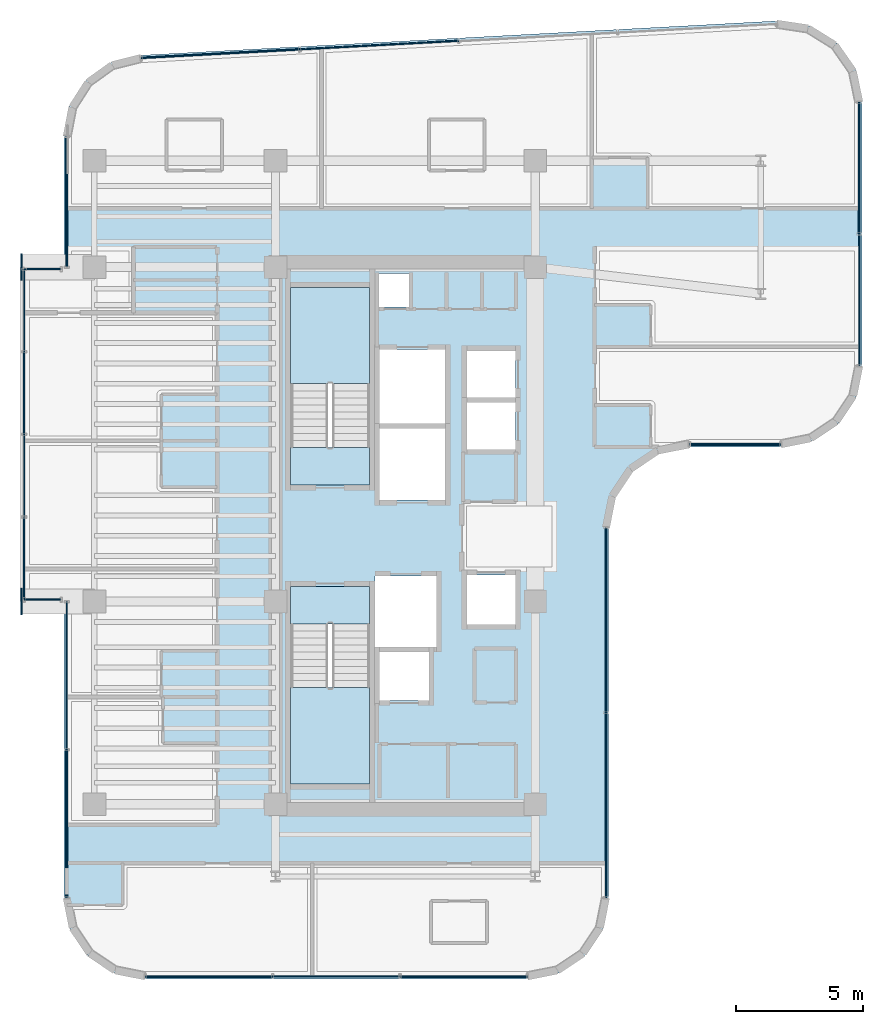
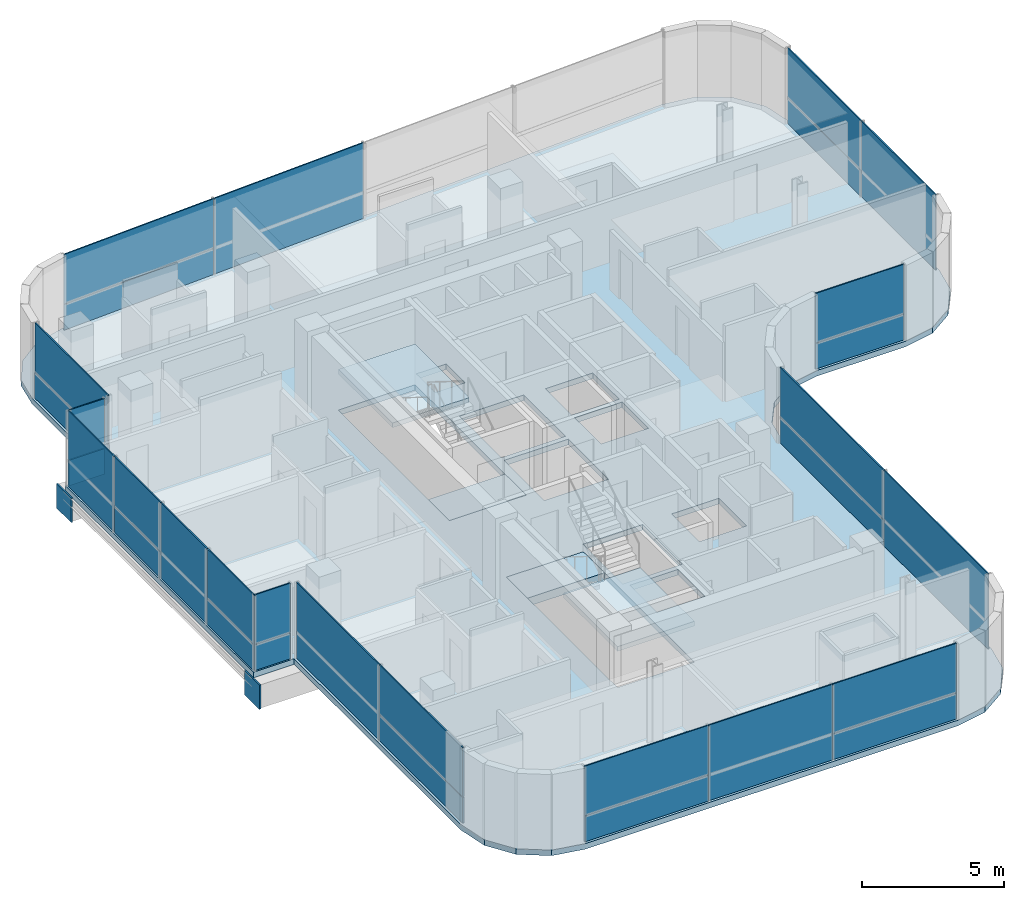
# One storey, part 15 of 22: 33 plates, 5 slabs, 12 elements without a shape of their own.
"""IFC4 building model written with IfcOpenShell, lengths in metres."""

from ifc_helpers import new_model, si_unit, direction, frame, origin, origin_2d, place, context, subcontext, project, spatial, polyline, rectangle, outline, extrude, source, transform, mapped, material, layer, layer_set, type_object, element, aggregate, save


model = new_model("IFC4")

# Units and contexts
model_context = context("Model", 3, precision=1e-05, world=origin(), true_north=direction((0.0, 1.0)))
body_context = subcontext(model_context, "Body", "Model", "MODEL_VIEW")
ifc_project = project(units=[si_unit("LENGTHUNIT", "METRE"), si_unit("AREAUNIT", "SQUARE_METRE"), si_unit("VOLUMEUNIT", "CUBIC_METRE"), si_unit("PLANEANGLEUNIT", "RADIAN"), si_unit("MASSUNIT", "GRAM", prefix="KILO")], contexts=[model_context])

# Site, building, storey
site_placement = place(None, origin())
site = spatial("IfcSite", under=ifc_project, at=site_placement, CompositionType="ELEMENT")
building_placement = place(site_placement, origin())
building = spatial("IfcBuilding", under=site, at=building_placement, Name="Valdorenza Pilgrim Sanctuary Tower", CompositionType="ELEMENT")
storey_placement = place(building_placement, frame((0.0, 0.0, 216.0)))
storey = spatial("IfcBuildingStorey", under=building, at=storey_placement, Name="L55", CompositionType="ELEMENT", Elevation=216.0)

# Slab
ifc_material_1 = material(Name="Concrete C40/50", Category="concrete")
ifc_layer_1 = layer(ifc_material_1, 0.239990234375, Name="Concrete C40/50")
ifc_layer_set_1 = layer_set([ifc_layer_1], Name="Concrete C40/50")
slab_type_1 = type_object("IfcSlabType", Name="SLAB-FLR-220", PredefinedType="FLOOR", material=ifc_layer_set_1)
slab_1_placement = place(storey_placement, frame((0.0, 0.0, -0.239990234375)))
element("IfcSlab", 1, at=slab_1_placement, inside=storey, type_object=slab_type_1, Name="L55 Structural Floor Slab 1", PredefinedType="FLOOR", context=body_context, shape_type="SweptSolid", body=[
    extrude(outline(polyline([(-30.772705078125, 16.95263671875), (-30.122802734375, 17.968994140625), (-29.14306640625, 18.672607421875), (-27.972412109375, 18.96337890625), (-2.872314453125, 20.318115234375), (-1.595947265625, 20.126220703125), (-0.4990234375, 19.445556640625), (0.239501953125, 18.386962890625), (0.5, 17.12255859375), (0.5, 6.699951171875), (0.25634765625, 5.475341796875), (-0.437255859375, 4.437255859375), (-1.475341796875, 3.74365234375), (-2.699951171875, 3.5), (-6.300048828125, 3.5), (-7.524658203125, 3.25634765625), (-8.562744140625, 2.562744140625), (-9.25634765625, 1.524658203125), (-9.5, 0.300048828125), (-9.5, -14.300048828125), (-9.74365234375, -15.524658203125), (-10.437255859375, -16.562744140625), (-11.475341796875, -17.25634765625), (-12.699951171875, -17.5), (-27.800048828125, -17.5), (-29.024658203125, -17.25634765625), (-30.062744140625, -16.562744140625), (-30.75634765625, -15.524658203125), (-31.0, -14.300048828125), (-31.0, -2.60009765625), (-32.64990234375, -2.60009765625), (-32.64990234375, 10.60009765625), (-31.0, 10.60009765625), (-31.0, 15.76806640625), (-30.772705078125, 16.95263671875)]), holes=[polyline([(-22.050048828125, -9.800048828125), (-18.93994140625, -9.800048828125), (-18.93994140625, -3.485107421875), (-18.93994140625, -2.0), (-22.050048828125, -2.0), (-22.050048828125, -3.485107421875), (-22.050048828125, -9.800048828125)]), polyline([(-16.60009765625, -6.5), (-16.60009765625, -4.60009765625), (-18.550048828125, -4.60009765625), (-18.550048828125, -6.5), (-16.60009765625, -6.5)]), polyline([(-22.050048828125, 2.0), (-18.93994140625, 2.0), (-18.93994140625, 3.485107421875), (-18.93994140625, 9.800048828125), (-22.050048828125, 9.800048828125), (-22.050048828125, 3.485107421875), (-22.050048828125, 2.0)]), polyline([(-17.360107421875, 9.030029296875), (-17.360107421875, 10.35009765625), (-18.570068359375, 10.35009765625), (-18.570068359375, 9.030029296875), (-17.360107421875, 9.030029296875)]), polyline([(-16.300048828125, -1.60009765625), (-18.719970703125, -1.60009765625), (-18.719970703125, -4.39990234375), (-16.300048828125, -4.39990234375), (-16.300048828125, -1.60009765625)]), polyline([(-13.179931640625, -3.5), (-13.179931640625, -1.550048828125), (-15.10009765625, -1.550048828125), (-15.10009765625, -3.5), (-13.179931640625, -3.5)]), polyline([(-15.949951171875, 1.39990234375), (-15.949951171875, 4.22509765625), (-18.550048828125, 4.22509765625), (-18.550048828125, 1.39990234375), (-15.949951171875, 1.39990234375)]), polyline([(-13.179931640625, 5.25), (-15.10009765625, 5.25), (-15.10009765625, 3.39990234375), (-13.179931640625, 3.39990234375), (-13.179931640625, 5.25)]), polyline([(-15.949951171875, 4.425048828125), (-15.949951171875, 7.35009765625), (-18.550048828125, 7.35009765625), (-18.550048828125, 4.425048828125), (-15.949951171875, 4.425048828125)]), polyline([(-13.179931640625, 5.449951171875), (-13.179931640625, 7.300048828125), (-15.10009765625, 7.300048828125), (-15.10009765625, 5.449951171875), (-13.179931640625, 5.449951171875)])]), origin(), (0.0, 0.0, 1.0), 0.239990234375),
])

# Stair, slab
stair_type = type_object("IfcStairType", Name="STR-DOG-CORE", PredefinedType="HALF_TURN_STAIR", material=ifc_material_1)
stair_1_placement = place(storey_placement, origin())
stair_1 = element("IfcStair", 2, at=stair_1_placement, inside=storey, type_object=stair_type, Name="L55 ST-A1", PredefinedType="HALF_TURN_STAIR")
ifc_layer_2 = layer(ifc_material_1, 0.199951171875, Name="Concrete C40/50")
ifc_layer_set_2 = layer_set([ifc_layer_2], Name="Concrete C40/50")
slab_type_2 = type_object("IfcSlabType", Name="SLAB-STL-200", PredefinedType="LANDING", material=ifc_layer_set_2)
slab_2_placement = place(storey_placement, frame((0.0, 0.0, 1.550048828125)))
slab_2 = element("IfcSlab", 3, at=slab_2_placement, type_object=slab_type_2, Name="ST-A1 landing 1", PredefinedType="LANDING", context=body_context, shape_type="SweptSolid", body=[
    extrude(outline(polyline([(-18.93994140625, 6.0), (-18.93994140625, 9.800048828125), (-22.050048828125, 9.800048828125), (-22.050048828125, 6.0), (-18.93994140625, 6.0)])), origin(), (0.0, 0.0, 1.0), 0.199951171875),
])
aggregate(stair_1, [slab_2])

stair_2_placement = place(storey_placement, origin())
stair_2 = element("IfcStair", 4, at=stair_2_placement, inside=storey, type_object=stair_type, Name="L55 ST-A2", PredefinedType="HALF_TURN_STAIR")
slab_3_placement = place(storey_placement, frame((0.0, 0.0, 1.550048828125)))
slab_3 = element("IfcSlab", 5, at=slab_3_placement, type_object=slab_type_2, Name="ST-A2 landing 1", PredefinedType="LANDING", context=body_context, shape_type="SweptSolid", body=[
    extrude(outline(polyline([(-22.050048828125, -6.0), (-22.050048828125, -9.800048828125), (-18.93994140625, -9.800048828125), (-18.93994140625, -6.0), (-22.050048828125, -6.0)])), origin(), (0.0, 0.0, 1.0), 0.199951171875),
])
aggregate(stair_2, [slab_3])

# Slabs
ifc_material_2 = material(Name="Concrete C50/60", Category="concrete")
ifc_layer_3 = layer(ifc_material_2, 0.39990234375, Name="Concrete C50/60")
ifc_layer_set_3 = layer_set([ifc_layer_3], Name="Concrete C50/60")
slab_type_3 = type_object("IfcSlabType", Name="SLAB-TRF-400", PredefinedType="FLOOR", material=ifc_layer_set_3)
slab_4_placement = place(storey_placement, frame((0.0, 0.0, -0.360107421875)))
element("IfcSlab", 6, at=slab_4_placement, inside=storey, type_object=slab_type_3, Name="L55 ST-A1 Structural Stair Landing Bearing Slab", PredefinedType="FLOOR", context=body_context, shape_type="SweptSolid", body=[
    extrude(outline(polyline([(-22.050048828125, 2.0), (-18.93994140625, 2.0), (-18.93994140625, 3.485107421875), (-22.050048828125, 3.485107421875), (-22.050048828125, 2.0)])), origin(), (0.0, 0.0, 1.0), 0.360107421875),
])
slab_5_placement = place(storey_placement, frame((0.0, 0.0, -0.360107421875)))
element("IfcSlab", 7, at=slab_5_placement, inside=storey, type_object=slab_type_3, Name="L55 ST-A2 Structural Stair Landing Bearing Slab", PredefinedType="FLOOR", context=body_context, shape_type="SweptSolid", body=[
    extrude(outline(polyline([(-22.050048828125, -3.485107421875), (-18.93994140625, -3.485107421875), (-18.93994140625, -2.0), (-22.050048828125, -2.0), (-22.050048828125, -3.485107421875)])), origin(), (0.0, 0.0, 1.0), 0.360107421875),
])

# Plates
ifc_material_3 = material(Name="Steel ASTM A572 Grade 42", Category="steel")
ifc_layer_4 = layer(ifc_material_3, 0.06005859375, Name="Steel ASTM A572 Grade 42")
ifc_layer_set_4 = layer_set([ifc_layer_4], Name="Steel ASTM A572 Grade 42")
plate_type_1 = type_object("IfcPlateType", Name="PLT-CAP-60", PredefinedType="SHEET", material=ifc_layer_set_4)
shared_shape_1 = source(origin(), body_context, "Body", "SweptSolid", [
    extrude(rectangle(XDim=0.06005859375, YDim=1.0400390625, at=origin_2d()), origin(), (0.0, 0.0, 1.0), 1.0400390625),
])
for number, where, z_axis, x_axis, name in (
    (8, (-32.679931640625, 10.60009765625, -1.260009765625), (0.0, 0.0, 1.0), (1.0, 0.0, 0.0), "L55 BOX-WA-L55 Cantilever Tip End Cap N"),
    (9, (-32.679931640625, -2.60009765625, -1.260009765625), (0.0, 0.0, 1.0), (1.0, 0.0, 0.0), "L55 BOX-WA-L55 Cantilever Tip End Cap S"),
):
    element("IfcPlate", number, at=place(storey_placement, frame(where, z_axis=z_axis, x_axis=x_axis)), inside=storey, type_object=plate_type_1, Name=name, PredefinedType="SHEET", context=body_context, shape_type="MappedRepresentation", body=[
        mapped(shared_shape_1, transform((0.0, 0.0, 0.0), x_axis=(1.0, 0.0, 0.0), y_axis=(0.0, 1.0, 0.0), z_axis=(0.0, 0.0, 1.0), scale=1.0)),
    ])

# Curtain wall, plate
ifc_material_4 = material(Name="Curtain-wall IGU glazing", Category="glass")
curtain_wall_type = type_object("IfcCurtainWallType", Name="CW-SYS-02", PredefinedType="NOTDEFINED", material=ifc_material_4)
curtain_wall_1_placement = place(storey_placement, origin())
curtain_wall_1 = element("IfcCurtainWall", 10, at=curtain_wall_1_placement, inside=storey, type_object=curtain_wall_type, Name="L55 Curtain Wall CW-L55-BOX-WA-L55-S", PredefinedType="NOTDEFINED")
ifc_material_5 = material(Name="Honed travertine limestone", Category="masonry")
ifc_layer_5 = layer(ifc_material_5, 0.050048828125, Name="Honed travertine limestone")
ifc_layer_set_5 = layer_set([ifc_layer_5], Name="Honed travertine limestone")
plate_type_2 = type_object("IfcPlateType", Name="CW-SPN-TRV", PredefinedType="USERDEFINED", material=ifc_layer_set_5)
shared_shape_2 = source(origin(), body_context, "Body", "SweptSolid", [
    extrude(rectangle(XDim=1.43994140625, YDim=0.06005859375, at=origin_2d()), origin(), (0.0, 0.0, 1.0), 1.10009765625),
])
plate_1_placement = place(storey_placement, frame((-31.840087890625, -2.52001953125, 0.010009765625), z_axis=(0.0, 0.0, 1.0), x_axis=(-1.0, 0.0, 0.0)))
plate_1 = element("IfcPlate", 11, at=plate_1_placement, type_object=plate_type_2, Name="CW-L55-BOX-WA-L55-S Travertine Spandrel 1", ObjectType="SPANDREL", PredefinedType="USERDEFINED", context=body_context, shape_type="MappedRepresentation", body=[
    mapped(shared_shape_2, transform((0.0, 0.0, 0.0), x_axis=(1.0, 0.0, 0.0), y_axis=(0.0, 1.0, 0.0), z_axis=(0.0, 0.0, 1.0), scale=1.0)),
])

curtain_wall_2_placement = place(storey_placement, origin())
curtain_wall_2 = element("IfcCurtainWall", 12, at=curtain_wall_2_placement, inside=storey, type_object=curtain_wall_type, Name="L55 Curtain Wall CW-L55-BOX-WA-L55-N", PredefinedType="NOTDEFINED")
plate_2_placement = place(storey_placement, frame((-31.840087890625, 10.52001953125, 0.010009765625), z_axis=(0.0, 0.0, 1.0), x_axis=(1.0, 0.0, 0.0)))
plate_2 = element("IfcPlate", 13, at=plate_2_placement, type_object=plate_type_2, Name="CW-L55-BOX-WA-L55-N Travertine Spandrel 1", ObjectType="SPANDREL", PredefinedType="USERDEFINED", context=body_context, shape_type="MappedRepresentation", body=[
    mapped(shared_shape_2, transform((0.0, 0.0, 0.0), x_axis=(1.0, 0.0, 0.0), y_axis=(0.0, 1.0, 0.0), z_axis=(0.0, 0.0, 1.0), scale=1.0)),
])

# Curtain wall, plates
curtain_wall_3_placement = place(storey_placement, origin())
curtain_wall_3 = element("IfcCurtainWall", 14, at=curtain_wall_3_placement, inside=storey, type_object=curtain_wall_type, Name="L55 Curtain Wall CW-L55-BOX-WA-L55-F", PredefinedType="NOTDEFINED")
shared_shape_3 = source(origin(), body_context, "Body", "SweptSolid", [
    extrude(rectangle(XDim=3.239990234375, YDim=0.06005859375, at=origin_2d()), origin(), (0.0, 0.0, 1.0), 1.10009765625),
])
plate_3_placement = place(storey_placement, frame((-32.570068359375, -0.889892578125, 0.010009765625), z_axis=(0.0, 0.0, 1.0), x_axis=(0.0, 1.0, 0.0)))
plate_3 = element("IfcPlate", 15, at=plate_3_placement, type_object=plate_type_2, Name="CW-L55-BOX-WA-L55-F Travertine Spandrel 1", ObjectType="SPANDREL", PredefinedType="USERDEFINED", context=body_context, shape_type="MappedRepresentation", body=[
    mapped(shared_shape_3, transform((0.0, 0.0, 0.0), x_axis=(1.0, 0.0, 0.0), y_axis=(0.0, 1.0, 0.0), z_axis=(0.0, 0.0, 1.0), scale=1.0)),
])
plate_4_placement = place(storey_placement, frame((-32.570068359375, 5.6298828125, 0.010009765625), z_axis=(0.0, 0.0, 1.0), x_axis=(0.0, 1.0, 0.0)))
plate_4 = element("IfcPlate", 16, at=plate_4_placement, type_object=plate_type_2, Name="CW-L55-BOX-WA-L55-F Travertine Spandrel 3", ObjectType="SPANDREL", PredefinedType="USERDEFINED", context=body_context, shape_type="MappedRepresentation", body=[
    mapped(shared_shape_3, transform((0.0, 0.0, 0.0), x_axis=(1.0, 0.0, 0.0), y_axis=(0.0, 1.0, 0.0), z_axis=(0.0, 0.0, 1.0), scale=1.0)),
])

# Curtain wall, plate
curtain_wall_4_placement = place(storey_placement, origin())
curtain_wall_4 = element("IfcCurtainWall", 17, at=curtain_wall_4_placement, inside=storey, type_object=curtain_wall_type, Name="L55 Curtain Wall CW-L55-1-1S1", PredefinedType="NOTDEFINED")
shared_shape_4 = source(origin(), body_context, "Body", "SweptSolid", [
    extrude(rectangle(XDim=5.82470703125, YDim=0.06005859375, at=origin_2d()), origin(), (0.0, 0.0, 1.0), 1.10009765625),
])
plate_5_placement = place(storey_placement, frame((-30.889892578125, -11.366943359375, 0.010009765625), z_axis=(0.0, 0.0, 1.0), x_axis=(0.0, 1.0, 0.0)))
plate_5 = element("IfcPlate", 18, at=plate_5_placement, type_object=plate_type_2, Name="CW-L55-1-1S1 Travertine Spandrel 1", ObjectType="SPANDREL", PredefinedType="USERDEFINED", context=body_context, shape_type="MappedRepresentation", body=[
    mapped(shared_shape_4, transform((0.0, 0.0, 0.0), x_axis=(1.0, 0.0, 0.0), y_axis=(0.0, 1.0, 0.0), z_axis=(0.0, 0.0, 1.0), scale=1.0)),
])

# Curtain wall, plates
curtain_wall_5_placement = place(storey_placement, origin())
curtain_wall_5 = element("IfcCurtainWall", 19, at=curtain_wall_5_placement, inside=storey, type_object=curtain_wall_type, Name="L55 Curtain Wall CW-L55-1-26", PredefinedType="NOTDEFINED")
shared_shape_5 = source(origin(), body_context, "Body", "SweptSolid", [
    extrude(rectangle(XDim=5.006103515625, YDim=0.06005859375, at=origin_2d()), origin(), (0.0, 0.0, 1.0), 1.10009765625),
])
plate_6_placement = place(storey_placement, frame((-15.223876953125, -17.389892578125, 0.010009765625), z_axis=(0.0, 0.0, 1.0), x_axis=(-1.0, 0.0, 0.0)))
plate_6 = element("IfcPlate", 20, at=plate_6_placement, type_object=plate_type_2, Name="CW-L55-1-26 Travertine Spandrel 1", ObjectType="SPANDREL", PredefinedType="USERDEFINED", context=body_context, shape_type="MappedRepresentation", body=[
    mapped(shared_shape_5, transform((0.0, 0.0, 0.0), x_axis=(1.0, 0.0, 0.0), y_axis=(0.0, 1.0, 0.0), z_axis=(0.0, 0.0, 1.0), scale=1.0)),
])
plate_7_placement = place(storey_placement, frame((-25.276123046875, -17.389892578125, 0.010009765625), z_axis=(0.0, 0.0, 1.0), x_axis=(-1.0, 0.0, 0.0)))
plate_7 = element("IfcPlate", 21, at=plate_7_placement, type_object=plate_type_2, Name="CW-L55-1-26 Travertine Spandrel 3", ObjectType="SPANDREL", PredefinedType="USERDEFINED", context=body_context, shape_type="MappedRepresentation", body=[
    mapped(shared_shape_5, transform((0.0, 0.0, 0.0), x_axis=(1.0, 0.0, 0.0), y_axis=(0.0, 1.0, 0.0), z_axis=(0.0, 0.0, 1.0), scale=1.0)),
])

# Curtain wall, plate
curtain_wall_6_placement = place(storey_placement, origin())
curtain_wall_6 = element("IfcCurtainWall", 22, at=curtain_wall_6_placement, inside=storey, type_object=curtain_wall_type, Name="L55 Curtain Wall CW-L55-1-6", PredefinedType="NOTDEFINED")
shared_shape_6 = source(origin(), body_context, "Body", "SweptSolid", [
    extrude(rectangle(XDim=6.2587890625, YDim=0.06005859375, at=origin_2d()), origin(), (0.0, 0.0, 1.0), 1.10009765625),
])
plate_8_placement = place(storey_placement, frame((-24.8212890625, 19.023193359375, 0.010009765625), z_axis=(0.0, 0.0, 1.0), x_axis=(0.998547034311, 0.053887106711, 0.0)))
plate_8 = element("IfcPlate", 23, at=plate_8_placement, type_object=plate_type_2, Name="CW-L55-1-6 Travertine Spandrel 1", ObjectType="SPANDREL", PredefinedType="USERDEFINED", context=body_context, shape_type="MappedRepresentation", body=[
    mapped(shared_shape_6, transform((0.0, 0.0, 0.0), x_axis=(1.0, 0.0, 0.0), y_axis=(0.0, 1.0, 0.0), z_axis=(0.0, 0.0, 1.0), scale=1.0)),
])

curtain_wall_7_placement = place(storey_placement, origin())
curtain_wall_7 = element("IfcCurtainWall", 24, at=curtain_wall_7_placement, inside=storey, type_object=curtain_wall_type, Name="L55 Curtain Wall CW-L55-1-16", PredefinedType="NOTDEFINED")
shared_shape_7 = source(origin(), body_context, "Body", "SweptSolid", [
    extrude(rectangle(XDim=3.580078125, YDim=0.06005859375, at=origin_2d()), origin(), (0.0, 0.0, 1.0), 1.10009765625),
])
plate_9_placement = place(storey_placement, frame((-4.5107421875, 3.610107421875, 0.010009765625), z_axis=(0.0, 0.0, 1.0), x_axis=(-1.0, 0.0, 0.0)))
plate_9 = element("IfcPlate", 25, at=plate_9_placement, type_object=plate_type_2, Name="CW-L55-1-16 Travertine Spandrel 1", ObjectType="SPANDREL", PredefinedType="USERDEFINED", context=body_context, shape_type="MappedRepresentation", body=[
    mapped(shared_shape_7, transform((0.0, 0.0, 0.0), x_axis=(1.0, 0.0, 0.0), y_axis=(0.0, 1.0, 0.0), z_axis=(0.0, 0.0, 1.0), scale=1.0)),
])

curtain_wall_8_placement = place(storey_placement, origin())
curtain_wall_8 = element("IfcCurtainWall", 26, at=curtain_wall_8_placement, inside=storey, type_object=curtain_wall_type, Name="L55 Curtain Wall CW-L55-1-21", PredefinedType="NOTDEFINED")
shared_shape_8 = source(origin(), body_context, "Body", "SweptSolid", [
    extrude(rectangle(XDim=7.280029296875, YDim=0.06005859375, at=origin_2d()), origin(), (0.0, 0.0, 1.0), 1.10009765625),
])
plate_10_placement = place(storey_placement, frame((-9.610107421875, -3.339111328125, 0.010009765625), z_axis=(0.0, 0.0, 1.0), x_axis=(0.0, -1.0, 0.0)))
plate_10 = element("IfcPlate", 27, at=plate_10_placement, type_object=plate_type_2, Name="CW-L55-1-21 Travertine Spandrel 1", ObjectType="SPANDREL", PredefinedType="USERDEFINED", context=body_context, shape_type="MappedRepresentation", body=[
    mapped(shared_shape_8, transform((0.0, 0.0, 0.0), x_axis=(1.0, 0.0, 0.0), y_axis=(0.0, 1.0, 0.0), z_axis=(0.0, 0.0, 1.0), scale=1.0)),
])

curtain_wall_9_placement = place(storey_placement, origin())
curtain_wall_9 = element("IfcCurtainWall", 28, at=curtain_wall_9_placement, inside=storey, type_object=curtain_wall_type, Name="L55 Curtain Wall CW-L55-1-11", PredefinedType="NOTDEFINED")
shared_shape_9 = source(origin(), body_context, "Body", "SweptSolid", [
    extrude(rectangle(XDim=5.180419921875, YDim=0.06005859375, at=origin_2d()), origin(), (0.0, 0.0, 1.0), 1.10009765625),
])
plate_11_placement = place(storey_placement, frame((0.389892578125, 14.51123046875, 0.010009765625), z_axis=(0.0, 0.0, 1.0), x_axis=(0.0, -1.0, 0.0)))
plate_11 = element("IfcPlate", 29, at=plate_11_placement, type_object=plate_type_2, Name="CW-L55-1-11 Travertine Spandrel 1", ObjectType="SPANDREL", PredefinedType="USERDEFINED", context=body_context, shape_type="MappedRepresentation", body=[
    mapped(shared_shape_9, transform((0.0, 0.0, 0.0), x_axis=(1.0, 0.0, 0.0), y_axis=(0.0, 1.0, 0.0), z_axis=(0.0, 0.0, 1.0), scale=1.0)),
])

# Plate
ifc_material_6 = material(Name="Ceramic-fritted low-E IGU glazing", Category="glass")
ifc_layer_6 = layer(ifc_material_6, 0.035888671875, Name="Ceramic-fritted low-E IGU glazing")
ifc_layer_set_6 = layer_set([ifc_layer_6], Name="Ceramic-fritted low-E IGU glazing")
plate_type_3 = type_object("IfcPlateType", Name="CW-GLZ-IGU", PredefinedType="USERDEFINED", material=ifc_layer_set_6)
shared_shape_10 = source(origin(), body_context, "Body", "SweptSolid", [
    extrude(rectangle(XDim=6.2587890625, YDim=0.050048828125, at=origin_2d()), origin(), (0.0, 0.0, 1.0), 2.1201171875),
])
plate_12_placement = place(storey_placement, frame((-24.8212890625, 19.023193359375, 1.1298828125), z_axis=(0.0, 0.0, 1.0), x_axis=(0.998547034311, 0.053887106711, 0.0)))
plate_12 = element("IfcPlate", 30, at=plate_12_placement, type_object=plate_type_3, Name="CW-L55-1-6 Facade Panel 1", ObjectType="GLAZING", PredefinedType="USERDEFINED", context=body_context, shape_type="MappedRepresentation", body=[
    mapped(shared_shape_10, transform((0.0, 0.0, 0.0), x_axis=(1.0, 0.0, 0.0), y_axis=(0.0, 1.0, 0.0), z_axis=(0.0, 0.0, 1.0), scale=1.0)),
])

shared_shape_11 = source(origin(), body_context, "Body", "SweptSolid", [
    extrude(rectangle(XDim=6.2587890625, YDim=0.050048828125, at=origin_2d()), origin(), (0.0, 0.0, 1.0), 3.239990234375),
])
plate_13_placement = place(storey_placement, frame((-18.551513671875, 19.36181640625, 0.009765625), z_axis=(0.0, 0.0, 1.0), x_axis=(0.998547034311, 0.053887106711, 0.0)))
plate_13 = element("IfcPlate", 31, at=plate_13_placement, type_object=plate_type_3, Name="CW-L55-1-6 Full-Height Facade Panel 2", ObjectType="GLAZING", PredefinedType="USERDEFINED", context=body_context, shape_type="MappedRepresentation", body=[
    mapped(shared_shape_11, transform((0.0, 0.0, 0.0), x_axis=(1.0, 0.0, 0.0), y_axis=(0.0, 1.0, 0.0), z_axis=(0.0, 0.0, 1.0), scale=1.0)),
])

aggregate(curtain_wall_6, [plate_8, plate_12, plate_13])

shared_shape_12 = source(origin(), body_context, "Body", "SweptSolid", [
    extrude(rectangle(XDim=5.180419921875, YDim=0.050048828125, at=origin_2d()), origin(), (0.0, 0.0, 1.0), 2.1201171875),
])
plate_14_placement = place(storey_placement, frame((0.389892578125, 14.51123046875, 1.1298828125), z_axis=(0.0, 0.0, 1.0), x_axis=(0.0, -1.0, 0.0)))
plate_14 = element("IfcPlate", 32, at=plate_14_placement, type_object=plate_type_3, Name="CW-L55-1-11 Facade Panel 1", ObjectType="GLAZING", PredefinedType="USERDEFINED", context=body_context, shape_type="MappedRepresentation", body=[
    mapped(shared_shape_12, transform((0.0, 0.0, 0.0), x_axis=(1.0, 0.0, 0.0), y_axis=(0.0, 1.0, 0.0), z_axis=(0.0, 0.0, 1.0), scale=1.0)),
])

shared_shape_13 = source(origin(), body_context, "Body", "SweptSolid", [
    extrude(rectangle(XDim=5.180419921875, YDim=0.050048828125, at=origin_2d()), origin(), (0.0, 0.0, 1.0), 3.239990234375),
])
plate_15_placement = place(storey_placement, frame((0.389892578125, 9.310791015625, 0.009765625), z_axis=(0.0, 0.0, 1.0), x_axis=(0.0, -1.0, 0.0)))
plate_15 = element("IfcPlate", 33, at=plate_15_placement, type_object=plate_type_3, Name="CW-L55-1-11 Full-Height Facade Panel 2", ObjectType="GLAZING", PredefinedType="USERDEFINED", context=body_context, shape_type="MappedRepresentation", body=[
    mapped(shared_shape_13, transform((0.0, 0.0, 0.0), x_axis=(1.0, 0.0, 0.0), y_axis=(0.0, 1.0, 0.0), z_axis=(0.0, 0.0, 1.0), scale=1.0)),
])

aggregate(curtain_wall_9, [plate_11, plate_14, plate_15])

shared_shape_14 = source(origin(), body_context, "Body", "SweptSolid", [
    extrude(rectangle(XDim=3.580078125, YDim=0.050048828125, at=origin_2d()), origin(), (0.0, 0.0, 1.0), 2.1201171875),
])
plate_16_placement = place(storey_placement, frame((-4.5107421875, 3.610107421875, 1.1298828125), z_axis=(0.0, 0.0, 1.0), x_axis=(-1.0, 0.0, 0.0)))
plate_16 = element("IfcPlate", 34, at=plate_16_placement, type_object=plate_type_3, Name="CW-L55-1-16 Facade Panel 1", ObjectType="GLAZING", PredefinedType="USERDEFINED", context=body_context, shape_type="MappedRepresentation", body=[
    mapped(shared_shape_14, transform((0.0, 0.0, 0.0), x_axis=(1.0, 0.0, 0.0), y_axis=(0.0, 1.0, 0.0), z_axis=(0.0, 0.0, 1.0), scale=1.0)),
])

aggregate(curtain_wall_7, [plate_9, plate_16])

shared_shape_15 = source(origin(), body_context, "Body", "SweptSolid", [
    extrude(rectangle(XDim=7.280029296875, YDim=0.050048828125, at=origin_2d()), origin(), (0.0, 0.0, 1.0), 2.1201171875),
])
plate_17_placement = place(storey_placement, frame((-9.610107421875, -3.339111328125, 1.1298828125), z_axis=(0.0, 0.0, 1.0), x_axis=(0.0, -1.0, 0.0)))
plate_17 = element("IfcPlate", 35, at=plate_17_placement, type_object=plate_type_3, Name="CW-L55-1-21 Facade Panel 1", ObjectType="GLAZING", PredefinedType="USERDEFINED", context=body_context, shape_type="MappedRepresentation", body=[
    mapped(shared_shape_15, transform((0.0, 0.0, 0.0), x_axis=(1.0, 0.0, 0.0), y_axis=(0.0, 1.0, 0.0), z_axis=(0.0, 0.0, 1.0), scale=1.0)),
])

shared_shape_16 = source(origin(), body_context, "Body", "SweptSolid", [
    extrude(rectangle(XDim=7.280029296875, YDim=0.050048828125, at=origin_2d()), origin(), (0.0, 0.0, 1.0), 3.239990234375),
])
plate_18_placement = place(storey_placement, frame((-9.610107421875, -10.63916015625, 0.009765625), z_axis=(0.0, 0.0, 1.0), x_axis=(0.0, -1.0, 0.0)))
plate_18 = element("IfcPlate", 36, at=plate_18_placement, type_object=plate_type_3, Name="CW-L55-1-21 Full-Height Facade Panel 2", ObjectType="GLAZING", PredefinedType="USERDEFINED", context=body_context, shape_type="MappedRepresentation", body=[
    mapped(shared_shape_16, transform((0.0, 0.0, 0.0), x_axis=(1.0, 0.0, 0.0), y_axis=(0.0, 1.0, 0.0), z_axis=(0.0, 0.0, 1.0), scale=1.0)),
])

aggregate(curtain_wall_8, [plate_10, plate_17, plate_18])

shared_shape_17 = source(origin(), body_context, "Body", "SweptSolid", [
    extrude(rectangle(XDim=5.006103515625, YDim=0.050048828125, at=origin_2d()), origin(), (0.0, 0.0, 1.0), 2.1201171875),
])
plate_19_placement = place(storey_placement, frame((-15.223876953125, -17.389892578125, 1.1298828125), z_axis=(0.0, 0.0, 1.0), x_axis=(-1.0, 0.0, 0.0)))
plate_19 = element("IfcPlate", 37, at=plate_19_placement, type_object=plate_type_3, Name="CW-L55-1-26 Facade Panel 1", ObjectType="GLAZING", PredefinedType="USERDEFINED", context=body_context, shape_type="MappedRepresentation", body=[
    mapped(shared_shape_17, transform((0.0, 0.0, 0.0), x_axis=(1.0, 0.0, 0.0), y_axis=(0.0, 1.0, 0.0), z_axis=(0.0, 0.0, 1.0), scale=1.0)),
])

plate_20_placement = place(storey_placement, frame((-25.276123046875, -17.389892578125, 1.1298828125), z_axis=(0.0, 0.0, 1.0), x_axis=(-1.0, 0.0, 0.0)))
plate_20 = element("IfcPlate", 38, at=plate_20_placement, type_object=plate_type_3, Name="CW-L55-1-26 Facade Panel 3", ObjectType="GLAZING", PredefinedType="USERDEFINED", context=body_context, shape_type="MappedRepresentation", body=[
    mapped(shared_shape_17, transform((0.0, 0.0, 0.0), x_axis=(1.0, 0.0, 0.0), y_axis=(0.0, 1.0, 0.0), z_axis=(0.0, 0.0, 1.0), scale=1.0)),
])

shared_shape_18 = source(origin(), body_context, "Body", "SweptSolid", [
    extrude(rectangle(XDim=5.006103515625, YDim=0.050048828125, at=origin_2d()), origin(), (0.0, 0.0, 1.0), 3.239990234375),
])
plate_21_placement = place(storey_placement, frame((-20.25, -17.389892578125, 0.009765625), z_axis=(0.0, 0.0, 1.0), x_axis=(-1.0, 0.0, 0.0)))
plate_21 = element("IfcPlate", 39, at=plate_21_placement, type_object=plate_type_3, Name="CW-L55-1-26 Full-Height Facade Panel 2", ObjectType="GLAZING", PredefinedType="USERDEFINED", context=body_context, shape_type="MappedRepresentation", body=[
    mapped(shared_shape_18, transform((0.0, 0.0, 0.0), x_axis=(1.0, 0.0, 0.0), y_axis=(0.0, 1.0, 0.0), z_axis=(0.0, 0.0, 1.0), scale=1.0)),
])

aggregate(curtain_wall_5, [plate_6, plate_19, plate_21, plate_7, plate_20])

shared_shape_19 = source(origin(), body_context, "Body", "SweptSolid", [
    extrude(rectangle(XDim=1.43994140625, YDim=0.050048828125, at=origin_2d()), origin(), (0.0, 0.0, 1.0), 2.1201171875),
])
plate_22_placement = place(storey_placement, frame((-31.840087890625, -2.52001953125, 1.1298828125), z_axis=(0.0, 0.0, 1.0), x_axis=(-1.0, 0.0, 0.0)))
plate_22 = element("IfcPlate", 40, at=plate_22_placement, type_object=plate_type_3, Name="CW-L55-BOX-WA-L55-S Facade Panel 1", ObjectType="GLAZING", PredefinedType="USERDEFINED", context=body_context, shape_type="MappedRepresentation", body=[
    mapped(shared_shape_19, transform((0.0, 0.0, 0.0), x_axis=(1.0, 0.0, 0.0), y_axis=(0.0, 1.0, 0.0), z_axis=(0.0, 0.0, 1.0), scale=1.0)),
])

aggregate(curtain_wall_1, [plate_1, plate_22])

plate_23_placement = place(storey_placement, frame((-31.840087890625, 10.52001953125, 1.1298828125), z_axis=(0.0, 0.0, 1.0), x_axis=(1.0, 0.0, 0.0)))
plate_23 = element("IfcPlate", 41, at=plate_23_placement, type_object=plate_type_3, Name="CW-L55-BOX-WA-L55-N Facade Panel 1", ObjectType="GLAZING", PredefinedType="USERDEFINED", context=body_context, shape_type="MappedRepresentation", body=[
    mapped(shared_shape_19, transform((0.0, 0.0, 0.0), x_axis=(1.0, 0.0, 0.0), y_axis=(0.0, 1.0, 0.0), z_axis=(0.0, 0.0, 1.0), scale=1.0)),
])

aggregate(curtain_wall_2, [plate_2, plate_23])

shared_shape_20 = source(origin(), body_context, "Body", "SweptSolid", [
    extrude(rectangle(XDim=5.82470703125, YDim=0.050048828125, at=origin_2d()), origin(), (0.0, 0.0, 1.0), 2.1201171875),
])
plate_24_placement = place(storey_placement, frame((-30.889892578125, -11.366943359375, 1.1298828125), z_axis=(0.0, 0.0, 1.0), x_axis=(0.0, 1.0, 0.0)))
plate_24 = element("IfcPlate", 42, at=plate_24_placement, type_object=plate_type_3, Name="CW-L55-1-1S1 Facade Panel 1", ObjectType="GLAZING", PredefinedType="USERDEFINED", context=body_context, shape_type="MappedRepresentation", body=[
    mapped(shared_shape_20, transform((0.0, 0.0, 0.0), x_axis=(1.0, 0.0, 0.0), y_axis=(0.0, 1.0, 0.0), z_axis=(0.0, 0.0, 1.0), scale=1.0)),
])

shared_shape_21 = source(origin(), body_context, "Body", "SweptSolid", [
    extrude(rectangle(XDim=5.82470703125, YDim=0.050048828125, at=origin_2d()), origin(), (0.0, 0.0, 1.0), 3.239990234375),
])
plate_25_placement = place(storey_placement, frame((-30.889892578125, -5.522216796875, 0.009765625), z_axis=(0.0, 0.0, 1.0), x_axis=(0.0, 1.0, 0.0)))
plate_25 = element("IfcPlate", 43, at=plate_25_placement, type_object=plate_type_3, Name="CW-L55-1-1S1 Full-Height Facade Panel 2", ObjectType="GLAZING", PredefinedType="USERDEFINED", context=body_context, shape_type="MappedRepresentation", body=[
    mapped(shared_shape_21, transform((0.0, 0.0, 0.0), x_axis=(1.0, 0.0, 0.0), y_axis=(0.0, 1.0, 0.0), z_axis=(0.0, 0.0, 1.0), scale=1.0)),
])

aggregate(curtain_wall_4, [plate_5, plate_24, plate_25])

# Curtain wall, plates
curtain_wall_10_placement = place(storey_placement, origin())
curtain_wall_10 = element("IfcCurtainWall", 44, at=curtain_wall_10_placement, inside=storey, type_object=curtain_wall_type, Name="L55 Curtain Wall CW-L55-1-1S2", PredefinedType="NOTDEFINED")
shared_shape_22 = source(origin(), body_context, "Body", "SweptSolid", [
    extrude(rectangle(XDim=5.137451171875, YDim=0.06005859375, at=origin_2d()), origin(), (0.0, 0.0, 1.0), 1.10009765625),
])
plate_26_placement = place(storey_placement, frame((-30.889892578125, 13.1787109375, 0.010009765625), z_axis=(0.0, 0.0, 1.0), x_axis=(0.0, 1.0, 0.0)))
plate_26 = element("IfcPlate", 45, at=plate_26_placement, type_object=plate_type_2, Name="CW-L55-1-1S2 Travertine Spandrel 1", ObjectType="SPANDREL", PredefinedType="USERDEFINED", context=body_context, shape_type="MappedRepresentation", body=[
    mapped(shared_shape_22, transform((0.0, 0.0, 0.0), x_axis=(1.0, 0.0, 0.0), y_axis=(0.0, 1.0, 0.0), z_axis=(0.0, 0.0, 1.0), scale=1.0)),
])
shared_shape_23 = source(origin(), body_context, "Body", "SweptSolid", [
    extrude(rectangle(XDim=5.137451171875, YDim=0.050048828125, at=origin_2d()), origin(), (0.0, 0.0, 1.0), 2.1201171875),
])
plate_27_placement = place(storey_placement, frame((-30.889892578125, 13.1787109375, 1.1298828125), z_axis=(0.0, 0.0, 1.0), x_axis=(0.0, 1.0, 0.0)))
plate_27 = element("IfcPlate", 46, at=plate_27_placement, type_object=plate_type_3, Name="CW-L55-1-1S2 Facade Panel 1", ObjectType="GLAZING", PredefinedType="USERDEFINED", context=body_context, shape_type="MappedRepresentation", body=[
    mapped(shared_shape_23, transform((0.0, 0.0, 0.0), x_axis=(1.0, 0.0, 0.0), y_axis=(0.0, 1.0, 0.0), z_axis=(0.0, 0.0, 1.0), scale=1.0)),
])
aggregate(curtain_wall_10, [plate_26, plate_27])

# Plate
shared_shape_24 = source(origin(), body_context, "Body", "SweptSolid", [
    extrude(rectangle(XDim=3.239990234375, YDim=0.050048828125, at=origin_2d()), origin(), (0.0, 0.0, 1.0), 2.1201171875),
])
plate_28_placement = place(storey_placement, frame((-32.570068359375, -0.889892578125, 1.1298828125), z_axis=(0.0, 0.0, 1.0), x_axis=(0.0, 1.0, 0.0)))
plate_28 = element("IfcPlate", 47, at=plate_28_placement, type_object=plate_type_3, Name="CW-L55-BOX-WA-L55-F Facade Panel 1", ObjectType="GLAZING", PredefinedType="USERDEFINED", context=body_context, shape_type="MappedRepresentation", body=[
    mapped(shared_shape_24, transform((0.0, 0.0, 0.0), x_axis=(1.0, 0.0, 0.0), y_axis=(0.0, 1.0, 0.0), z_axis=(0.0, 0.0, 1.0), scale=1.0)),
])

plate_29_placement = place(storey_placement, frame((-32.570068359375, 5.6298828125, 1.1298828125), z_axis=(0.0, 0.0, 1.0), x_axis=(0.0, 1.0, 0.0)))
plate_29 = element("IfcPlate", 48, at=plate_29_placement, type_object=plate_type_3, Name="CW-L55-BOX-WA-L55-F Facade Panel 3", ObjectType="GLAZING", PredefinedType="USERDEFINED", context=body_context, shape_type="MappedRepresentation", body=[
    mapped(shared_shape_24, transform((0.0, 0.0, 0.0), x_axis=(1.0, 0.0, 0.0), y_axis=(0.0, 1.0, 0.0), z_axis=(0.0, 0.0, 1.0), scale=1.0)),
])

shared_shape_25 = source(origin(), body_context, "Body", "SweptSolid", [
    extrude(rectangle(XDim=3.239990234375, YDim=0.050048828125, at=origin_2d()), origin(), (0.0, 0.0, 1.0), 3.239990234375),
])
plate_30_placement = place(storey_placement, frame((-32.570068359375, 2.3701171875, 0.009765625), z_axis=(0.0, 0.0, 1.0), x_axis=(0.0, 1.0, 0.0)))
plate_30 = element("IfcPlate", 49, at=plate_30_placement, type_object=plate_type_3, Name="CW-L55-BOX-WA-L55-F Full-Height Facade Panel 2", ObjectType="GLAZING", PredefinedType="USERDEFINED", context=body_context, shape_type="MappedRepresentation", body=[
    mapped(shared_shape_25, transform((0.0, 0.0, 0.0), x_axis=(1.0, 0.0, 0.0), y_axis=(0.0, 1.0, 0.0), z_axis=(0.0, 0.0, 1.0), scale=1.0)),
])

plate_31_placement = place(storey_placement, frame((-32.570068359375, 8.889892578125, 0.009765625), z_axis=(0.0, 0.0, 1.0), x_axis=(0.0, 1.0, 0.0)))
plate_31 = element("IfcPlate", 50, at=plate_31_placement, type_object=plate_type_3, Name="CW-L55-BOX-WA-L55-F Full-Height Facade Panel 4", ObjectType="GLAZING", PredefinedType="USERDEFINED", context=body_context, shape_type="MappedRepresentation", body=[
    mapped(shared_shape_25, transform((0.0, 0.0, 0.0), x_axis=(1.0, 0.0, 0.0), y_axis=(0.0, 1.0, 0.0), z_axis=(0.0, 0.0, 1.0), scale=1.0)),
])

aggregate(curtain_wall_3, [plate_3, plate_28, plate_30, plate_4, plate_29, plate_31])

save(model, "model.ifc")
